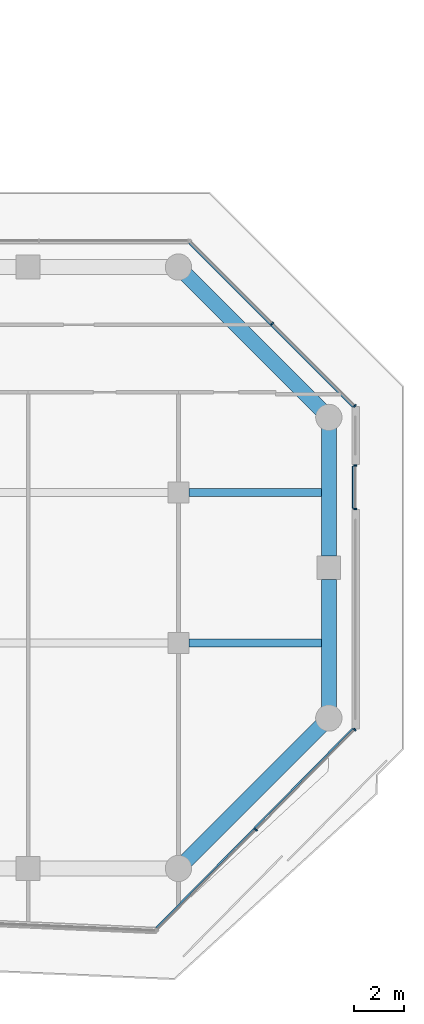
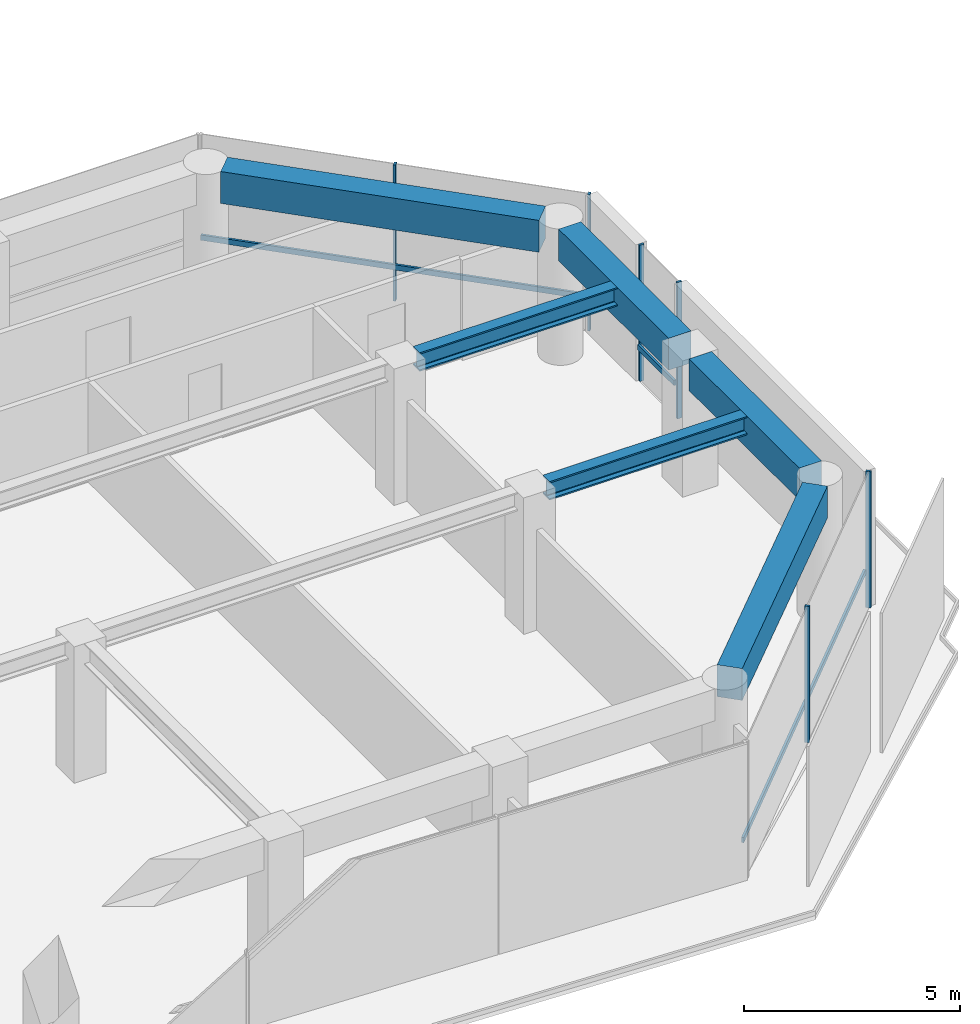
# One storey, part 20 of 29: 9 members, 6 beams, 3 elements without a shape of their own.
"""IFC4 building model written with IfcOpenShell, lengths in metres."""

from ifc_helpers import new_model, si_unit, direction, frame, origin, origin_2d, place, context, subcontext, project, spatial, rectangle, i_section, extrude, material, layer, layer_set, material_profile, profile_set, type_object, element, aggregate, save


model = new_model("IFC4")

# Units and contexts
model_context = context("Model", 3, precision=1e-05, world=origin(), true_north=direction((0.0, 1.0)))
body_context = subcontext(model_context, "Body", "Model", "MODEL_VIEW")
ifc_project = project(units=[si_unit("LENGTHUNIT", "METRE"), si_unit("AREAUNIT", "SQUARE_METRE"), si_unit("VOLUMEUNIT", "CUBIC_METRE"), si_unit("PLANEANGLEUNIT", "RADIAN"), si_unit("MASSUNIT", "GRAM", prefix="KILO")], contexts=[model_context])

# Site, building, storey
site_placement = place(None, origin())
site = spatial("IfcSite", under=ifc_project, at=site_placement, CompositionType="ELEMENT")
building_placement = place(site_placement, origin())
building = spatial("IfcBuilding", under=site, at=building_placement, Name="Welwitschia Terrace Campus", CompositionType="ELEMENT")
storey_placement = place(building_placement, frame((0.0, 0.0, 41.60009765625)))
storey = spatial("IfcBuildingStorey", under=building, at=storey_placement, Name="L09", CompositionType="ELEMENT", Elevation=41.60009765625)

# Beams
ifc_material_1 = material(Name="Steel S355", Category="steel")
ifc_material_profile_1 = material_profile(ifc_material_1, i_section(OverallWidth=0.305908203125, OverallDepth=0.52392578125, WebThickness=0.02099609375, FlangeThickness=0.0400390625, FilletRadius=0.027099609375, at=origin_2d()))
ifc_profile_set_1 = profile_set([ifc_material_profile_1], Name="Steel S355")
beam_type_1 = type_object("IfcBeamType", Name="Interior girder HE 500 M", PredefinedType="BEAM", material=ifc_profile_set_1)
for number, where, z_axis, x_axis, name in (
    (1, (60.425537109375, 5.0, 3.587890625), (1.0, 0.0, 0.0), (0.0, 1.0, 0.0), "Girder GB2"),
    (2, (60.425537109375, 11.0, 3.587890625), (1.0, 0.0, 0.0), (0.0, 1.0, 0.0), "Girder GB2"),
):
    element("IfcBeam", number, at=place(storey_placement, frame(where, z_axis=z_axis, x_axis=x_axis)), inside=storey, type_object=beam_type_1, Name=name, PredefinedType="BEAM", context=body_context, shape_type="SweptSolid", body=[
        extrude(i_section(OverallWidth=0.305908203125, OverallDepth=0.52392578125, WebThickness=0.02099609375, FlangeThickness=0.0400390625, FilletRadius=0.027099609375, at=origin_2d()), origin(), (0.0, 0.0, 1.0), 5.58447265625),
    ])

# Curtain wall, members
ifc_material_2 = material(Name="Bronze anodised aluminium", Category="aluminium")
ifc_layer = layer(ifc_material_2, 0.1201171875)
ifc_layer_set = layer_set([ifc_layer], Name="Bronze anodised aluminium")
curtain_wall_type = type_object("IfcCurtainWallType", Name="Curtain wall CW2 tower 6000", PredefinedType="NOTDEFINED", material=ifc_layer_set)
curtain_wall_1_placement = place(storey_placement, origin())
curtain_wall_1 = element("IfcCurtainWall", 3, at=curtain_wall_1_placement, inside=storey, type_object=curtain_wall_type, Name="CW L09.5.0", PredefinedType="NOTDEFINED")
ifc_material_3 = material(Name="Bronze anodised aluminium", Category="aluminium")
ifc_material_profile_2 = material_profile(ifc_material_3, rectangle(XDim=0.1201171875, YDim=0.06005859375, at=origin_2d()))
ifc_profile_set_2 = profile_set([ifc_material_profile_2], Name="Bronze anodised aluminium")
member_type_1 = type_object("IfcMemberType", Name="Mullion 60x120", PredefinedType="MULLION", material=ifc_profile_set_2)
member_1_placement = place(storey_placement, frame((63.09228515625, -2.45751953125, 0.0), z_axis=(0.0, 0.0, 1.0), x_axis=(-0.711846830797, 0.702334741761, 0.0)))
member_1 = element("IfcMember", 4, at=member_1_placement, type_object=member_type_1, Name="Mullion L09.5.0.1", PredefinedType="MULLION", context=body_context, shape_type="SweptSolid", body=[
    extrude(rectangle(XDim=0.1201171875, YDim=0.06005859375, at=origin_2d()), origin(), (0.0, 0.0, 1.0), 3.849853515625),
])
member_2_placement = place(storey_placement, frame((67.036865234375, 1.54052734375, 0.0), z_axis=(0.0, 0.0, 1.0), x_axis=(-0.711846830797, 0.702334741761, 0.0)))
member_2 = element("IfcMember", 5, at=member_2_placement, type_object=member_type_1, Name="Mullion L09.5.0.2", PredefinedType="MULLION", context=body_context, shape_type="SweptSolid", body=[
    extrude(rectangle(XDim=0.1201171875, YDim=0.06005859375, at=origin_2d()), origin(), (0.0, 0.0, 1.0), 3.849853515625),
])

curtain_wall_2_placement = place(storey_placement, origin())
curtain_wall_2 = element("IfcCurtainWall", 6, at=curtain_wall_2_placement, inside=storey, type_object=curtain_wall_type, Name="CW L09.6.S0", PredefinedType="NOTDEFINED")
member_3_placement = place(storey_placement, frame((67.05810546875, 10.34912109375, 0.0), z_axis=(0.0, 0.0, 1.0), x_axis=(-1.0, 0.0, 0.0)))
member_3 = element("IfcMember", 7, at=member_3_placement, type_object=member_type_1, Name="Mullion L09.6.S0.0", PredefinedType="MULLION", context=body_context, shape_type="SweptSolid", body=[
    extrude(rectangle(XDim=0.1201171875, YDim=0.06005859375, at=origin_2d()), origin(), (0.0, 0.0, 1.0), 3.849853515625),
])
member_4_placement = place(storey_placement, frame((67.05810546875, 12.089111328125, 0.0), z_axis=(0.0, 0.0, 1.0), x_axis=(-1.0, 0.0, 0.0)))
member_4 = element("IfcMember", 8, at=member_4_placement, type_object=member_type_1, Name="Mullion L09.6.S0.1", PredefinedType="MULLION", context=body_context, shape_type="SweptSolid", body=[
    extrude(rectangle(XDim=0.1201171875, YDim=0.06005859375, at=origin_2d()), origin(), (0.0, 0.0, 1.0), 3.849853515625),
])

curtain_wall_3_placement = place(storey_placement, origin())
curtain_wall_3 = element("IfcCurtainWall", 9, at=curtain_wall_3_placement, inside=storey, type_object=curtain_wall_type, Name="CW L09.7.0", PredefinedType="NOTDEFINED")
member_5_placement = place(storey_placement, frame((67.036865234375, 14.45947265625, 0.0), z_axis=(0.0, 0.0, 1.0), x_axis=(-0.707106781187, -0.707106781187, 0.0)))
member_5 = element("IfcMember", 10, at=member_5_placement, type_object=member_type_1, Name="Mullion L09.7.0.0", PredefinedType="MULLION", context=body_context, shape_type="SweptSolid", body=[
    extrude(rectangle(XDim=0.1201171875, YDim=0.06005859375, at=origin_2d()), origin(), (0.0, 0.0, 1.0), 3.849853515625),
])
member_6_placement = place(storey_placement, frame((63.748046875, 17.748046875, 0.0), z_axis=(0.0, 0.0, 1.0), x_axis=(-0.707106781187, -0.707106781187, 0.0)))
member_6 = element("IfcMember", 11, at=member_6_placement, type_object=member_type_1, Name="Mullion L09.7.0.1", PredefinedType="MULLION", context=body_context, shape_type="SweptSolid", body=[
    extrude(rectangle(XDim=0.1201171875, YDim=0.06005859375, at=origin_2d()), origin(), (0.0, 0.0, 1.0), 3.849853515625),
])

# Beams
ifc_material_4 = material(Name="Concrete C60/75", Category="concrete")
ifc_material_profile_3 = material_profile(ifc_material_4, rectangle(XDim=0.60009765625, YDim=0.89990234375, at=origin_2d()))
ifc_profile_set_3 = profile_set([ifc_material_profile_3], Name="Concrete C60/75")
beam_type_2 = type_object("IfcBeamType", Name="Ring spandrel 600x900", PredefinedType="SPANDREL", material=ifc_profile_set_3)
beam_1_placement = place(storey_placement, frame((60.30517578125, -3.69482421875, 3.39990234375), z_axis=(0.707106781187, 0.707106781187, 0.0), x_axis=(-0.707106781187, 0.707106781187, 0.0)))
element("IfcBeam", 12, at=beam_1_placement, inside=storey, type_object=beam_type_2, Name="Spandrel SP2", PredefinedType="SPANDREL", context=body_context, shape_type="SweptSolid", body=[
    extrude(rectangle(XDim=0.60009765625, YDim=0.89990234375, at=origin_2d()), origin(), (0.0, 0.0, 1.0), 7.6220703125),
])
for number, where, z_axis, x_axis, name in (
    (13, (66.0, 2.431396484375, 3.39990234375), (0.0, 1.0, 0.0), (-1.0, 0.0, 0.0), "Spandrel SP2"),
    (14, (66.0, 8.4755859375, 3.39990234375), (0.0, 1.0, 0.0), (-1.0, 0.0, 0.0), "Spandrel SP2"),
):
    element("IfcBeam", number, at=place(storey_placement, frame(where, z_axis=z_axis, x_axis=x_axis)), inside=storey, type_object=beam_type_2, Name=name, PredefinedType="SPANDREL", context=body_context, shape_type="SweptSolid", body=[
        extrude(rectangle(XDim=0.60009765625, YDim=0.89990234375, at=origin_2d()), origin(), (0.0, 0.0, 1.0), 5.093017578125),
    ])
beam_2_placement = place(storey_placement, frame((65.69482421875, 14.30517578125, 3.39990234375), z_axis=(-0.707106781187, 0.707106781187, 0.0), x_axis=(-0.707106781187, -0.707106781187, 0.0)))
element("IfcBeam", 15, at=beam_2_placement, inside=storey, type_object=beam_type_2, Name="Spandrel SP2", PredefinedType="SPANDREL", context=body_context, shape_type="SweptSolid", body=[
    extrude(rectangle(XDim=0.60009765625, YDim=0.89990234375, at=origin_2d()), origin(), (0.0, 0.0, 1.0), 7.6220703125),
])

# Member
ifc_material_5 = material(Name="Bronze anodised aluminium", Category="aluminium")
ifc_material_profile_4 = material_profile(ifc_material_5, rectangle(XDim=0.06005859375, YDim=0.14990234375, at=origin_2d()))
ifc_profile_set_4 = profile_set([ifc_material_profile_4], Name="Bronze anodised aluminium")
member_type_2 = type_object("IfcMemberType", Name="Transom 60x150", PredefinedType="USERDEFINED", material=ifc_profile_set_4)
member_7_placement = place(storey_placement, frame((59.104736328125, -6.37109375, 1.0), z_axis=(0.702338194154, 0.711843424521, 0.0), x_axis=(-0.711843424521, 0.702338194154, 0.0)))
member_7 = element("IfcMember", 16, at=member_7_placement, type_object=member_type_2, Name="Transom L09.5.0", ObjectType="TRANSOM", PredefinedType="USERDEFINED", context=body_context, shape_type="SweptSolid", body=[
    extrude(rectangle(XDim=0.06005859375, YDim=0.14990234375, at=origin_2d()), origin(), (0.0, 0.0, 1.0), 11.1728515625),
])

aggregate(curtain_wall_1, [member_1, member_2, member_7])

member_8_placement = place(storey_placement, frame((66.968017578125, 10.379150390625, 1.0), z_axis=(0.0, 1.0, 0.0), x_axis=(-1.0, 0.0, 0.0)))
member_8 = element("IfcMember", 17, at=member_8_placement, type_object=member_type_2, Name="Transom L09.6.S0", ObjectType="TRANSOM", PredefinedType="USERDEFINED", context=body_context, shape_type="SweptSolid", body=[
    extrude(rectangle(XDim=0.06005859375, YDim=0.14990234375, at=origin_2d()), origin(), (0.0, 0.0, 1.0), 1.679931640625),
])

aggregate(curtain_wall_2, [member_3, member_4, member_8])

member_9_placement = place(storey_placement, frame((66.951904296875, 14.4169921875, 1.0), z_axis=(-0.707106781187, 0.707106781187, 0.0), x_axis=(-0.707106781187, -0.707106781187, 0.0)))
member_9 = element("IfcMember", 18, at=member_9_placement, type_object=member_type_2, Name="Transom L09.7.0", ObjectType="TRANSOM", PredefinedType="USERDEFINED", context=body_context, shape_type="SweptSolid", body=[
    extrude(rectangle(XDim=0.06005859375, YDim=0.14990234375, at=origin_2d()), origin(), (0.0, 0.0, 1.0), 9.24169921875),
])

aggregate(curtain_wall_3, [member_5, member_6, member_9])

save(model, "model.ifc")
